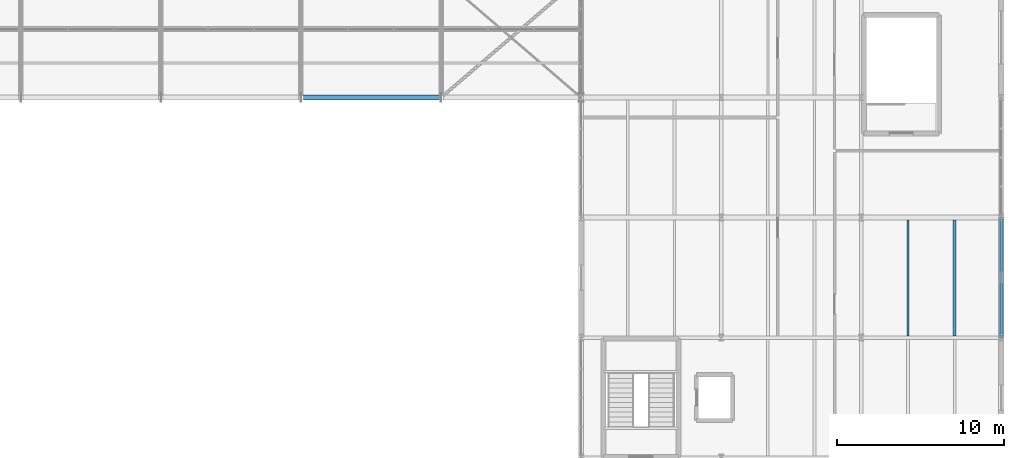
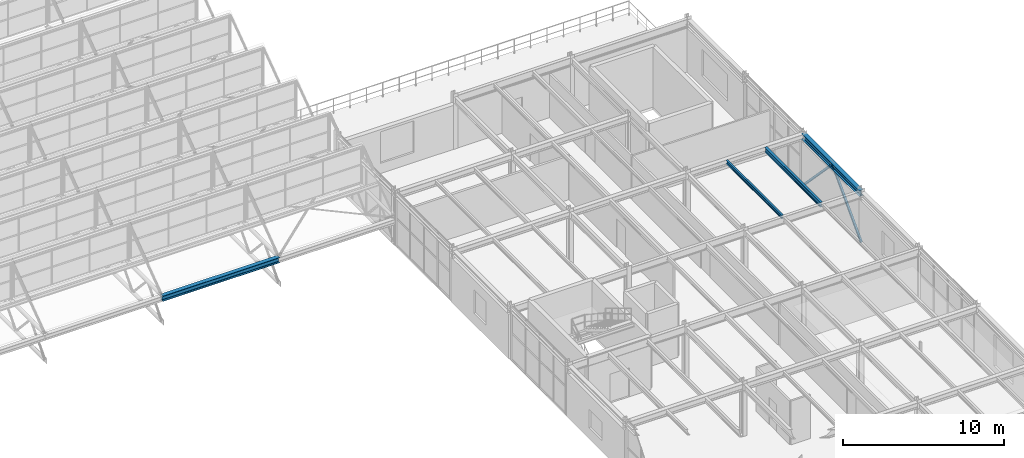
# One storey, part 82 of 134: 4 beams, 2 members.
"""IFC4 building model written with IfcOpenShell, lengths in metres."""

from ifc_helpers import new_model, si_unit, derived_unit, direction, frame, origin, origin_2d, place, context, subcontext, project, spatial, hollow_rectangle, i_section, extrude, material, material_profile, profile_set, type_object, element, save


model = new_model("IFC4")

# Units and contexts
model_context = context("Model", 3, precision=1e-05, world=origin(), true_north=direction((0.0, 1.0)))
body_context = subcontext(model_context, "Body", "Model", "MODEL_VIEW")
ifc_project = project(units=[si_unit("LENGTHUNIT", "METRE"), si_unit("AREAUNIT", "SQUARE_METRE"), si_unit("VOLUMEUNIT", "CUBIC_METRE"), si_unit("PLANEANGLEUNIT", "RADIAN"), si_unit("MASSUNIT", "GRAM", prefix="KILO"), derived_unit("THERMALTRANSMITTANCEUNIT", [(si_unit("MASSUNIT", "GRAM", prefix="KILO"), 1), (si_unit("TIMEUNIT", "SECOND"), -3), (si_unit("THERMODYNAMICTEMPERATUREUNIT", "KELVIN"), -1)])], contexts=[model_context])

# Site, building, storey
site_placement = place(None, origin())
site = spatial("IfcSite", under=ifc_project, at=site_placement, CompositionType="ELEMENT")
building_placement = place(site_placement, origin())
building = spatial("IfcBuilding", under=site, at=building_placement, Name="Kharveza Railside Sports Centre", CompositionType="ELEMENT")
storey_placement = place(building_placement, frame((0.0, 0.0, 12.89990234375)))
storey = spatial("IfcBuildingStorey", under=building, at=storey_placement, Name="L03", CompositionType="ELEMENT", Elevation=12.89990234375)

# Beams
ifc_material = material(Name="Steel S355J2", Category="steel")
ifc_material_profile_1 = material_profile(ifc_material, i_section(OverallWidth=0.300048828125, OverallDepth=0.39990234375, WebThickness=0.013427734375, FlangeThickness=0.02392578125, FilletRadius=0.027099609375, at=origin_2d()), Name="HEB 400")
ifc_profile_set_1 = profile_set([ifc_material_profile_1], Name="Steel S355J2")
beam_type_1 = type_object("IfcBeamType", Name="BM-G07", PredefinedType="T_BEAM", material=ifc_profile_set_1)
beam_1_placement = place(storey_placement, frame((126.0, 79.199951171875, 1.760009765625), z_axis=(1.0, 0.0, 0.0), x_axis=(0.0, 1.0, 0.0)))
element("IfcBeam", 1, at=beam_1_placement, inside=storey, type_object=beam_type_1, Name="BM-V2SAW-VAL-1-5", PredefinedType="T_BEAM", context=body_context, shape_type="SweptSolid", body=[
    extrude(i_section(OverallWidth=0.300048828125, OverallDepth=0.39990234375, WebThickness=0.013427734375, FlangeThickness=0.02392578125, FilletRadius=0.027099609375, at=origin_2d()), origin(), (0.0, 0.0, 1.0), 8.39990234375),
])
ifc_material_profile_2 = material_profile(ifc_material, i_section(OverallWidth=0.169921875, OverallDepth=0.360107421875, WebThickness=0.008056640625, FlangeThickness=0.0126953125, FilletRadius=0.01806640625, at=origin_2d()), Name="IPE 360")
ifc_profile_set_2 = profile_set([ifc_material_profile_2], Name="Steel S355J2")
beam_type_2 = type_object("IfcBeamType", Name="BM-S02", PredefinedType="BEAM", material=ifc_profile_set_2)
beam_2_placement = place(storey_placement, frame((165.199951171875, 64.902099609375, 3.780029296875), z_axis=(0.0, 1.0, 0.0), x_axis=(-1.0, 0.0, 0.0)))
element("IfcBeam", 2, at=beam_2_placement, inside=storey, type_object=beam_type_2, Name="BM-SEC-L03-B10-X1652-Y648", PredefinedType="BEAM", context=body_context, shape_type="SweptSolid", body=[
    extrude(i_section(OverallWidth=0.169921875, OverallDepth=0.360107421875, WebThickness=0.008056640625, FlangeThickness=0.0126953125, FilletRadius=0.01806640625, at=origin_2d()), origin(), (0.0, 0.0, 1.0), 6.950927734375),
])
ifc_material_profile_3 = material_profile(ifc_material, i_section(OverallWidth=0.135009765625, OverallDepth=0.27001953125, WebThickness=0.006591796875, FlangeThickness=0.01025390625, FilletRadius=0.014892578125, at=origin_2d()), Name="IPE 270")
ifc_profile_set_3 = profile_set([ifc_material_profile_3], Name="Steel S355J2")
beam_type_3 = type_object("IfcBeamType", Name="BM-S05", PredefinedType="BEAM", material=ifc_profile_set_3)
beam_3_placement = place(storey_placement, frame((162.39990234375, 64.902099609375, 3.8251953125), z_axis=(0.0, 1.0, 0.0), x_axis=(-1.0, 0.0, 0.0)))
element("IfcBeam", 3, at=beam_3_placement, inside=storey, type_object=beam_type_3, Name="BM-SEC-L03-B13-X1624-Y648", PredefinedType="BEAM", context=body_context, shape_type="SweptSolid", body=[
    extrude(i_section(OverallWidth=0.135009765625, OverallDepth=0.27001953125, WebThickness=0.006591796875, FlangeThickness=0.01025390625, FilletRadius=0.014892578125, at=origin_2d()), origin(), (0.0, 0.0, 1.0), 6.950927734375),
])
ifc_material_profile_4 = material_profile(ifc_material, i_section(OverallWidth=0.300048828125, OverallDepth=0.43994140625, WebThickness=0.011474609375, FlangeThickness=0.02099609375, FilletRadius=0.027099609375, at=origin_2d()), Name="HEA 450")
ifc_profile_set_4 = profile_set([ifc_material_profile_4], Name="Steel S355J2")
beam_type_4 = type_object("IfcBeamType", Name="BM-SP01", PredefinedType="SPANDREL", material=ifc_profile_set_4)
beam_4_placement = place(storey_placement, frame((168.0, 64.800048828125, 3.739990234375), z_axis=(0.0, 1.0, 0.0), x_axis=(-1.0, 0.0, 0.0)))
element("IfcBeam", 4, at=beam_4_placement, inside=storey, type_object=beam_type_4, Name="BM-NS-L03-B15-X1680-Y648", PredefinedType="SPANDREL", context=body_context, shape_type="SweptSolid", body=[
    extrude(i_section(OverallWidth=0.300048828125, OverallDepth=0.43994140625, WebThickness=0.011474609375, FlangeThickness=0.02099609375, FilletRadius=0.027099609375, at=origin_2d()), origin(), (0.0, 0.0, 1.0), 7.199951171875),
])

# Members
ifc_material_profile_5 = material_profile(ifc_material, hollow_rectangle(XDim=0.14990234375, YDim=0.14990234375, WallThickness=0.008056640625, InnerFilletRadius=0.008056640625, OuterFilletRadius=0.01611328125, at=origin_2d()), Name="SHS 150x150x8.0")
ifc_profile_set_5 = profile_set([ifc_material_profile_5], Name="Steel S355J2")
member_type = type_object("IfcMemberType", Name="MB-BR02", PredefinedType="BRACE", material=ifc_profile_set_5)
member_1_placement = place(storey_placement, frame((168.0, 64.800048828125, 0.0), z_axis=(0.0, 0.692517163318, 0.721401399021), x_axis=(-1.0, 0.0, 0.0)))
element("IfcMember", 5, at=member_1_placement, inside=storey, type_object=member_type, Name="MB-CHEV-NS-021A", PredefinedType="BRACE", context=body_context, shape_type="SweptSolid", body=[
    extrude(hollow_rectangle(XDim=0.14990234375, YDim=0.14990234375, WallThickness=0.008056640625, InnerFilletRadius=0.008056640625, OuterFilletRadius=0.01611328125, at=origin_2d()), origin(), (0.0, 0.0, 1.0), 5.1982421875),
])
member_2_placement = place(storey_placement, frame((168.0, 72.0, 0.0), z_axis=(0.0, -0.692541604294, 0.721377935844), x_axis=(1.0, 0.0, 0.0)))
element("IfcMember", 6, at=member_2_placement, inside=storey, type_object=member_type, Name="MB-CHEV-NS-021B", PredefinedType="BRACE", context=body_context, shape_type="SweptSolid", body=[
    extrude(hollow_rectangle(XDim=0.14990234375, YDim=0.14990234375, WallThickness=0.008056640625, InnerFilletRadius=0.008056640625, OuterFilletRadius=0.01611328125, at=origin_2d()), origin(), (0.0, 0.0, 1.0), 5.198486328125),
])

save(model, "model.ifc")
